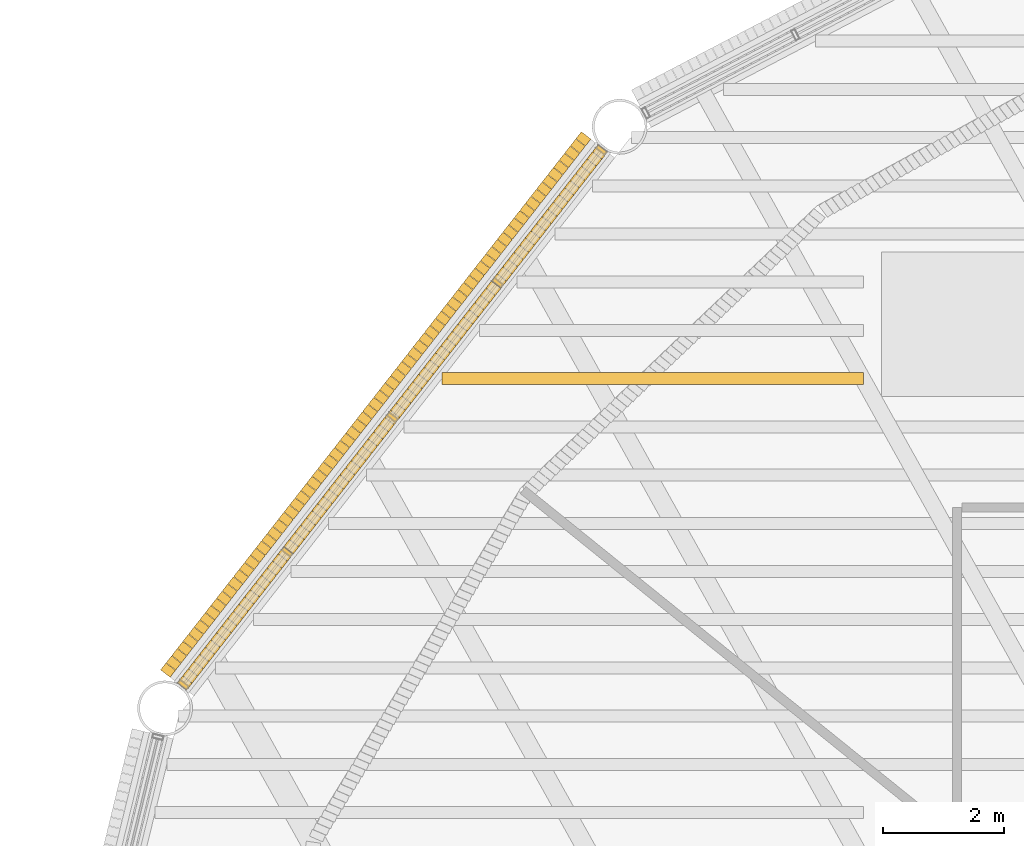
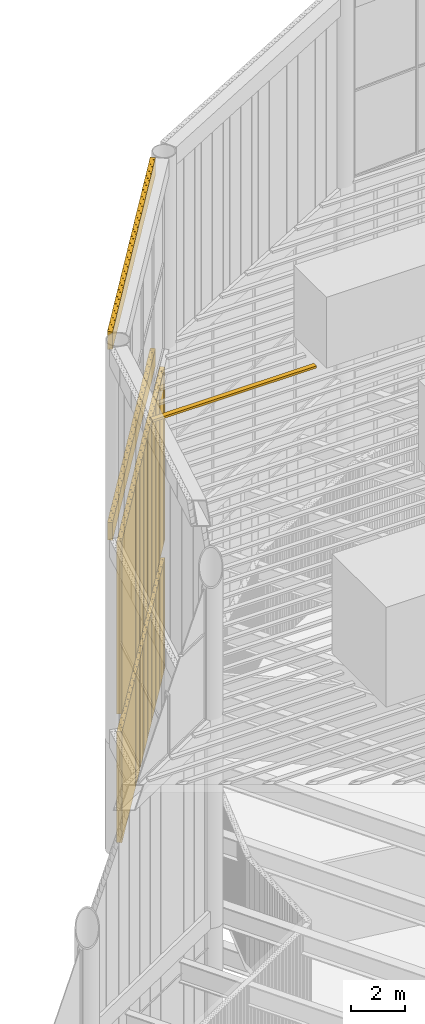
# One storey, part 102 of 117: 4 coverings, 1 shading device.
"""IFC4 building model written with IfcOpenShell, lengths in metres."""

from ifc_helpers import new_model, si_unit, direction, frame, frame_2d, origin, origin_2d, place, context, subcontext, project, spatial, rectangle, composite_profile, extrude, material, type_object, element, save


model = new_model("IFC4")

# Units and contexts
model_context = context("Model", 3, precision=1e-05, world=origin(), true_north=direction((0.0, 1.0)))
body_context = subcontext(model_context, "Body", "Model", "MODEL_VIEW")
ifc_project = project(units=[si_unit("LENGTHUNIT", "METRE"), si_unit("AREAUNIT", "SQUARE_METRE"), si_unit("VOLUMEUNIT", "CUBIC_METRE"), si_unit("PLANEANGLEUNIT", "RADIAN"), si_unit("MASSUNIT", "GRAM", prefix="KILO")], contexts=[model_context])

# Site, building, storey
site_placement = place(None, origin())
site = spatial("IfcSite", under=ifc_project, at=site_placement, CompositionType="ELEMENT")
building_placement = place(site_placement, origin())
building = spatial("IfcBuilding", under=site, at=building_placement, Name="Tarsis Ring Headquarters", CompositionType="ELEMENT")
storey_placement = place(building_placement, frame((0.0, 0.0, 403.60009765625)))
storey = spatial("IfcBuildingStorey", under=building, at=storey_placement, Name="L95", CompositionType="ELEMENT", Elevation=403.60009765625)

# Coverings
ifc_material_1 = material(Name="Terracotta louvre", Category="masonry")
covering_type = type_object("IfcCoveringType", Name="Crown louvre fin", PredefinedType="CLADDING", material=ifc_material_1)
covering_1_placement = place(storey_placement, frame((-18.877685546875, 21.955810546875, 0.0), z_axis=(0.0, 0.0, 1.0), x_axis=(-0.615999310746, -0.787752816249, 0.0)))
element("IfcCovering", 1, at=covering_1_placement, inside=storey, type_object=covering_type, Name="Crown louvre base 12", PredefinedType="CLADDING", context=body_context, shape_type="SweptSolid", body=[
    extrude(composite_profile([rectangle(XDim=0.14501953125, YDim=0.199951171875, at=frame_2d((0.072509765625, 0.0))), rectangle(XDim=0.14501953125, YDim=0.199951171875, at=frame_2d((0.2236328125, 0.0))), rectangle(XDim=0.14501953125, YDim=0.199951171875, at=frame_2d((0.375, 0.0))), rectangle(XDim=0.14501953125, YDim=0.199951171875, at=frame_2d((0.526123046875, 0.0))), rectangle(XDim=0.14501953125, YDim=0.199951171875, at=frame_2d((0.677490234375, 0.0))), rectangle(XDim=0.14501953125, YDim=0.199951171875, at=frame_2d((0.82861328125, 0.0))), rectangle(XDim=0.14501953125, YDim=0.199951171875, at=frame_2d((0.979736328125, 0.0))), rectangle(XDim=0.14501953125, YDim=0.199951171875, at=frame_2d((1.131103515625, 0.0))), rectangle(XDim=0.14501953125, YDim=0.199951171875, at=frame_2d((1.2822265625, 0.0))), rectangle(XDim=0.14501953125, YDim=0.199951171875, at=frame_2d((1.433349609375, 0.0))), rectangle(XDim=0.14501953125, YDim=0.199951171875, at=frame_2d((1.584716796875, 0.0))), rectangle(XDim=0.14501953125, YDim=0.199951171875, at=frame_2d((1.73583984375, 0.0))), rectangle(XDim=0.14501953125, YDim=0.199951171875, at=frame_2d((1.88720703125, 0.0))), rectangle(XDim=0.14501953125, YDim=0.199951171875, at=frame_2d((2.038330078125, 0.0))), rectangle(XDim=0.14501953125, YDim=0.199951171875, at=frame_2d((2.189453125, 0.0))), rectangle(XDim=0.14501953125, YDim=0.199951171875, at=frame_2d((2.3408203125, 0.0))), rectangle(XDim=0.14501953125, YDim=0.199951171875, at=frame_2d((2.491943359375, 0.0))), rectangle(XDim=0.14501953125, YDim=0.199951171875, at=frame_2d((2.64306640625, 0.0))), rectangle(XDim=0.14501953125, YDim=0.199951171875, at=frame_2d((2.79443359375, 0.0))), rectangle(XDim=0.14501953125, YDim=0.199951171875, at=frame_2d((2.945556640625, 0.0))), rectangle(XDim=0.14501953125, YDim=0.199951171875, at=frame_2d((3.096923828125, 0.0))), rectangle(XDim=0.14501953125, YDim=0.199951171875, at=frame_2d((3.248046875, 0.0))), rectangle(XDim=0.14501953125, YDim=0.199951171875, at=frame_2d((3.399169921875, 0.0))), rectangle(XDim=0.14501953125, YDim=0.199951171875, at=frame_2d((3.550537109375, 0.0))), rectangle(XDim=0.14501953125, YDim=0.199951171875, at=frame_2d((3.70166015625, 0.0))), rectangle(XDim=0.14501953125, YDim=0.199951171875, at=frame_2d((3.852783203125, 0.0))), rectangle(XDim=0.14501953125, YDim=0.199951171875, at=frame_2d((4.004150390625, 0.0))), rectangle(XDim=0.14501953125, YDim=0.199951171875, at=frame_2d((4.1552734375, 0.0))), rectangle(XDim=0.14501953125, YDim=0.199951171875, at=frame_2d((4.306640625, 0.0))), rectangle(XDim=0.14501953125, YDim=0.199951171875, at=frame_2d((4.457763671875, 0.0))), rectangle(XDim=0.14501953125, YDim=0.199951171875, at=frame_2d((4.60888671875, 0.0))), rectangle(XDim=0.14501953125, YDim=0.199951171875, at=frame_2d((4.76025390625, 0.0))), rectangle(XDim=0.14501953125, YDim=0.199951171875, at=frame_2d((4.911376953125, 0.0))), rectangle(XDim=0.14501953125, YDim=0.199951171875, at=frame_2d((5.0625, 0.0))), rectangle(XDim=0.14501953125, YDim=0.199951171875, at=frame_2d((5.2138671875, 0.0))), rectangle(XDim=0.14501953125, YDim=0.199951171875, at=frame_2d((5.364990234375, 0.0))), rectangle(XDim=0.14501953125, YDim=0.199951171875, at=frame_2d((5.516357421875, 0.0))), rectangle(XDim=0.14501953125, YDim=0.199951171875, at=frame_2d((5.66748046875, 0.0))), rectangle(XDim=0.14501953125, YDim=0.199951171875, at=frame_2d((5.818603515625, 0.0))), rectangle(XDim=0.14501953125, YDim=0.199951171875, at=frame_2d((5.969970703125, 0.0))), rectangle(XDim=0.14501953125, YDim=0.199951171875, at=frame_2d((6.12109375, 0.0))), rectangle(XDim=0.14501953125, YDim=0.199951171875, at=frame_2d((6.2724609375, 0.0))), rectangle(XDim=0.14501953125, YDim=0.199951171875, at=frame_2d((6.423583984375, 0.0))), rectangle(XDim=0.14501953125, YDim=0.199951171875, at=frame_2d((6.57470703125, 0.0))), rectangle(XDim=0.14501953125, YDim=0.199951171875, at=frame_2d((6.72607421875, 0.0))), rectangle(XDim=0.14501953125, YDim=0.199951171875, at=frame_2d((6.877197265625, 0.0))), rectangle(XDim=0.14501953125, YDim=0.199951171875, at=frame_2d((7.0283203125, 0.0))), rectangle(XDim=0.14501953125, YDim=0.199951171875, at=frame_2d((7.1796875, 0.0))), rectangle(XDim=0.14501953125, YDim=0.199951171875, at=frame_2d((7.330810546875, 0.0))), rectangle(XDim=0.14501953125, YDim=0.199951171875, at=frame_2d((7.482177734375, 0.0))), rectangle(XDim=0.14501953125, YDim=0.199951171875, at=frame_2d((7.63330078125, 0.0))), rectangle(XDim=0.14501953125, YDim=0.199951171875, at=frame_2d((7.784423828125, 0.0))), rectangle(XDim=0.14501953125, YDim=0.199951171875, at=frame_2d((7.935791015625, 0.0))), rectangle(XDim=0.14501953125, YDim=0.199951171875, at=frame_2d((8.0869140625, 0.0))), rectangle(XDim=0.14501953125, YDim=0.199951171875, at=frame_2d((8.238037109375, 0.0))), rectangle(XDim=0.14501953125, YDim=0.199951171875, at=frame_2d((8.389404296875, 0.0))), rectangle(XDim=0.14501953125, YDim=0.199951171875, at=frame_2d((8.54052734375, 0.0))), rectangle(XDim=0.14501953125, YDim=0.199951171875, at=frame_2d((8.69189453125, 0.0))), rectangle(XDim=0.14501953125, YDim=0.199951171875, at=frame_2d((8.843017578125, 0.0))), rectangle(XDim=0.14501953125, YDim=0.199951171875, at=frame_2d((8.994140625, 0.0))), rectangle(XDim=0.14501953125, YDim=0.199951171875, at=frame_2d((9.1455078125, 0.0))), rectangle(XDim=0.14501953125, YDim=0.199951171875, at=frame_2d((9.296630859375, 0.0))), rectangle(XDim=0.14501953125, YDim=0.199951171875, at=frame_2d((9.44775390625, 0.0))), rectangle(XDim=0.14501953125, YDim=0.199951171875, at=frame_2d((9.59912109375, 0.0))), rectangle(XDim=0.14501953125, YDim=0.199951171875, at=frame_2d((9.750244140625, 0.0))), rectangle(XDim=0.14501953125, YDim=0.199951171875, at=frame_2d((9.901611328125, 0.0))), rectangle(XDim=0.14501953125, YDim=0.199951171875, at=frame_2d((10.052734375, 0.0))), rectangle(XDim=0.14501953125, YDim=0.199951171875, at=frame_2d((10.203857421875, 0.0))), rectangle(XDim=0.14501953125, YDim=0.199951171875, at=frame_2d((10.355224609375, 0.0))), rectangle(XDim=0.14501953125, YDim=0.199951171875, at=frame_2d((10.50634765625, 0.0))), rectangle(XDim=0.14501953125, YDim=0.199951171875, at=frame_2d((10.657470703125, 0.0))), rectangle(XDim=0.14501953125, YDim=0.199951171875, at=frame_2d((10.808837890625, 0.0))), rectangle(XDim=0.14501953125, YDim=0.199951171875, at=frame_2d((10.9599609375, 0.0))), rectangle(XDim=0.14501953125, YDim=0.199951171875, at=frame_2d((11.111328125, 0.0))), rectangle(XDim=0.14501953125, YDim=0.199951171875, at=frame_2d((11.262451171875, 0.0)))]), origin(), (0.0, 0.0, 1.0), 5.0),
])
covering_2_placement = place(storey_placement, frame((-19.1533203125, 22.17138671875, 13.599853515625), z_axis=(0.0, 0.0, 1.0), x_axis=(-0.615999310746, -0.787752816249, 0.0)))
element("IfcCovering", 2, at=covering_2_placement, inside=storey, type_object=covering_type, Name="Crown louvre fascia M12", PredefinedType="CLADDING", context=body_context, shape_type="SweptSolid", body=[
    extrude(composite_profile([rectangle(XDim=0.14501953125, YDim=0.199951171875, at=frame_2d((0.072509765625, 0.0))), rectangle(XDim=0.14501953125, YDim=0.199951171875, at=frame_2d((0.2236328125, 0.0))), rectangle(XDim=0.14501953125, YDim=0.199951171875, at=frame_2d((0.375, 0.0))), rectangle(XDim=0.14501953125, YDim=0.199951171875, at=frame_2d((0.526123046875, 0.0))), rectangle(XDim=0.14501953125, YDim=0.199951171875, at=frame_2d((0.677490234375, 0.0))), rectangle(XDim=0.14501953125, YDim=0.199951171875, at=frame_2d((0.82861328125, 0.0))), rectangle(XDim=0.14501953125, YDim=0.199951171875, at=frame_2d((0.979736328125, 0.0))), rectangle(XDim=0.14501953125, YDim=0.199951171875, at=frame_2d((1.131103515625, 0.0))), rectangle(XDim=0.14501953125, YDim=0.199951171875, at=frame_2d((1.2822265625, 0.0))), rectangle(XDim=0.14501953125, YDim=0.199951171875, at=frame_2d((1.433349609375, 0.0))), rectangle(XDim=0.14501953125, YDim=0.199951171875, at=frame_2d((1.584716796875, 0.0))), rectangle(XDim=0.14501953125, YDim=0.199951171875, at=frame_2d((1.73583984375, 0.0))), rectangle(XDim=0.14501953125, YDim=0.199951171875, at=frame_2d((1.88720703125, 0.0))), rectangle(XDim=0.14501953125, YDim=0.199951171875, at=frame_2d((2.038330078125, 0.0))), rectangle(XDim=0.14501953125, YDim=0.199951171875, at=frame_2d((2.189453125, 0.0))), rectangle(XDim=0.14501953125, YDim=0.199951171875, at=frame_2d((2.3408203125, 0.0))), rectangle(XDim=0.14501953125, YDim=0.199951171875, at=frame_2d((2.491943359375, 0.0))), rectangle(XDim=0.14501953125, YDim=0.199951171875, at=frame_2d((2.64306640625, 0.0))), rectangle(XDim=0.14501953125, YDim=0.199951171875, at=frame_2d((2.79443359375, 0.0))), rectangle(XDim=0.14501953125, YDim=0.199951171875, at=frame_2d((2.945556640625, 0.0))), rectangle(XDim=0.14501953125, YDim=0.199951171875, at=frame_2d((3.096923828125, 0.0))), rectangle(XDim=0.14501953125, YDim=0.199951171875, at=frame_2d((3.248046875, 0.0))), rectangle(XDim=0.14501953125, YDim=0.199951171875, at=frame_2d((3.399169921875, 0.0))), rectangle(XDim=0.14501953125, YDim=0.199951171875, at=frame_2d((3.550537109375, 0.0))), rectangle(XDim=0.14501953125, YDim=0.199951171875, at=frame_2d((3.70166015625, 0.0))), rectangle(XDim=0.14501953125, YDim=0.199951171875, at=frame_2d((3.852783203125, 0.0))), rectangle(XDim=0.14501953125, YDim=0.199951171875, at=frame_2d((4.004150390625, 0.0))), rectangle(XDim=0.14501953125, YDim=0.199951171875, at=frame_2d((4.1552734375, 0.0))), rectangle(XDim=0.14501953125, YDim=0.199951171875, at=frame_2d((4.306640625, 0.0))), rectangle(XDim=0.14501953125, YDim=0.199951171875, at=frame_2d((4.457763671875, 0.0))), rectangle(XDim=0.14501953125, YDim=0.199951171875, at=frame_2d((4.60888671875, 0.0))), rectangle(XDim=0.14501953125, YDim=0.199951171875, at=frame_2d((4.76025390625, 0.0))), rectangle(XDim=0.14501953125, YDim=0.199951171875, at=frame_2d((4.911376953125, 0.0))), rectangle(XDim=0.14501953125, YDim=0.199951171875, at=frame_2d((5.0625, 0.0))), rectangle(XDim=0.14501953125, YDim=0.199951171875, at=frame_2d((5.2138671875, 0.0))), rectangle(XDim=0.14501953125, YDim=0.199951171875, at=frame_2d((5.364990234375, 0.0))), rectangle(XDim=0.14501953125, YDim=0.199951171875, at=frame_2d((5.516357421875, 0.0))), rectangle(XDim=0.14501953125, YDim=0.199951171875, at=frame_2d((5.66748046875, 0.0))), rectangle(XDim=0.14501953125, YDim=0.199951171875, at=frame_2d((5.818603515625, 0.0))), rectangle(XDim=0.14501953125, YDim=0.199951171875, at=frame_2d((5.969970703125, 0.0))), rectangle(XDim=0.14501953125, YDim=0.199951171875, at=frame_2d((6.12109375, 0.0))), rectangle(XDim=0.14501953125, YDim=0.199951171875, at=frame_2d((6.2724609375, 0.0))), rectangle(XDim=0.14501953125, YDim=0.199951171875, at=frame_2d((6.423583984375, 0.0))), rectangle(XDim=0.14501953125, YDim=0.199951171875, at=frame_2d((6.57470703125, 0.0))), rectangle(XDim=0.14501953125, YDim=0.199951171875, at=frame_2d((6.72607421875, 0.0))), rectangle(XDim=0.14501953125, YDim=0.199951171875, at=frame_2d((6.877197265625, 0.0))), rectangle(XDim=0.14501953125, YDim=0.199951171875, at=frame_2d((7.0283203125, 0.0))), rectangle(XDim=0.14501953125, YDim=0.199951171875, at=frame_2d((7.1796875, 0.0))), rectangle(XDim=0.14501953125, YDim=0.199951171875, at=frame_2d((7.330810546875, 0.0))), rectangle(XDim=0.14501953125, YDim=0.199951171875, at=frame_2d((7.482177734375, 0.0))), rectangle(XDim=0.14501953125, YDim=0.199951171875, at=frame_2d((7.63330078125, 0.0))), rectangle(XDim=0.14501953125, YDim=0.199951171875, at=frame_2d((7.784423828125, 0.0))), rectangle(XDim=0.14501953125, YDim=0.199951171875, at=frame_2d((7.935791015625, 0.0))), rectangle(XDim=0.14501953125, YDim=0.199951171875, at=frame_2d((8.0869140625, 0.0))), rectangle(XDim=0.14501953125, YDim=0.199951171875, at=frame_2d((8.238037109375, 0.0))), rectangle(XDim=0.14501953125, YDim=0.199951171875, at=frame_2d((8.389404296875, 0.0))), rectangle(XDim=0.14501953125, YDim=0.199951171875, at=frame_2d((8.54052734375, 0.0))), rectangle(XDim=0.14501953125, YDim=0.199951171875, at=frame_2d((8.69189453125, 0.0))), rectangle(XDim=0.14501953125, YDim=0.199951171875, at=frame_2d((8.843017578125, 0.0))), rectangle(XDim=0.14501953125, YDim=0.199951171875, at=frame_2d((8.994140625, 0.0))), rectangle(XDim=0.14501953125, YDim=0.199951171875, at=frame_2d((9.1455078125, 0.0))), rectangle(XDim=0.14501953125, YDim=0.199951171875, at=frame_2d((9.296630859375, 0.0))), rectangle(XDim=0.14501953125, YDim=0.199951171875, at=frame_2d((9.44775390625, 0.0))), rectangle(XDim=0.14501953125, YDim=0.199951171875, at=frame_2d((9.59912109375, 0.0))), rectangle(XDim=0.14501953125, YDim=0.199951171875, at=frame_2d((9.750244140625, 0.0))), rectangle(XDim=0.14501953125, YDim=0.199951171875, at=frame_2d((9.901611328125, 0.0))), rectangle(XDim=0.14501953125, YDim=0.199951171875, at=frame_2d((10.052734375, 0.0))), rectangle(XDim=0.14501953125, YDim=0.199951171875, at=frame_2d((10.203857421875, 0.0))), rectangle(XDim=0.14501953125, YDim=0.199951171875, at=frame_2d((10.355224609375, 0.0))), rectangle(XDim=0.14501953125, YDim=0.199951171875, at=frame_2d((10.50634765625, 0.0))), rectangle(XDim=0.14501953125, YDim=0.199951171875, at=frame_2d((10.657470703125, 0.0))), rectangle(XDim=0.14501953125, YDim=0.199951171875, at=frame_2d((10.808837890625, 0.0))), rectangle(XDim=0.14501953125, YDim=0.199951171875, at=frame_2d((10.9599609375, 0.0))), rectangle(XDim=0.14501953125, YDim=0.199951171875, at=frame_2d((11.111328125, 0.0))), rectangle(XDim=0.14501953125, YDim=0.199951171875, at=frame_2d((11.262451171875, 0.0)))]), origin(), (0.0, 0.0, 1.0), 0.800048828125),
])
covering_3_placement = place(storey_placement, frame((-19.1533203125, 22.17138671875, 22.199951171875), z_axis=(0.0, 0.0, 1.0), x_axis=(-0.615999310746, -0.787752816249, 0.0)))
element("IfcCovering", 3, at=covering_3_placement, inside=storey, type_object=covering_type, Name="Crown louvre fascia T12", PredefinedType="CLADDING", context=body_context, shape_type="SweptSolid", body=[
    extrude(composite_profile([rectangle(XDim=0.14501953125, YDim=0.199951171875, at=frame_2d((0.072509765625, 0.0))), rectangle(XDim=0.14501953125, YDim=0.199951171875, at=frame_2d((0.2236328125, 0.0))), rectangle(XDim=0.14501953125, YDim=0.199951171875, at=frame_2d((0.375, 0.0))), rectangle(XDim=0.14501953125, YDim=0.199951171875, at=frame_2d((0.526123046875, 0.0))), rectangle(XDim=0.14501953125, YDim=0.199951171875, at=frame_2d((0.677490234375, 0.0))), rectangle(XDim=0.14501953125, YDim=0.199951171875, at=frame_2d((0.82861328125, 0.0))), rectangle(XDim=0.14501953125, YDim=0.199951171875, at=frame_2d((0.979736328125, 0.0))), rectangle(XDim=0.14501953125, YDim=0.199951171875, at=frame_2d((1.131103515625, 0.0))), rectangle(XDim=0.14501953125, YDim=0.199951171875, at=frame_2d((1.2822265625, 0.0))), rectangle(XDim=0.14501953125, YDim=0.199951171875, at=frame_2d((1.433349609375, 0.0))), rectangle(XDim=0.14501953125, YDim=0.199951171875, at=frame_2d((1.584716796875, 0.0))), rectangle(XDim=0.14501953125, YDim=0.199951171875, at=frame_2d((1.73583984375, 0.0))), rectangle(XDim=0.14501953125, YDim=0.199951171875, at=frame_2d((1.88720703125, 0.0))), rectangle(XDim=0.14501953125, YDim=0.199951171875, at=frame_2d((2.038330078125, 0.0))), rectangle(XDim=0.14501953125, YDim=0.199951171875, at=frame_2d((2.189453125, 0.0))), rectangle(XDim=0.14501953125, YDim=0.199951171875, at=frame_2d((2.3408203125, 0.0))), rectangle(XDim=0.14501953125, YDim=0.199951171875, at=frame_2d((2.491943359375, 0.0))), rectangle(XDim=0.14501953125, YDim=0.199951171875, at=frame_2d((2.64306640625, 0.0))), rectangle(XDim=0.14501953125, YDim=0.199951171875, at=frame_2d((2.79443359375, 0.0))), rectangle(XDim=0.14501953125, YDim=0.199951171875, at=frame_2d((2.945556640625, 0.0))), rectangle(XDim=0.14501953125, YDim=0.199951171875, at=frame_2d((3.096923828125, 0.0))), rectangle(XDim=0.14501953125, YDim=0.199951171875, at=frame_2d((3.248046875, 0.0))), rectangle(XDim=0.14501953125, YDim=0.199951171875, at=frame_2d((3.399169921875, 0.0))), rectangle(XDim=0.14501953125, YDim=0.199951171875, at=frame_2d((3.550537109375, 0.0))), rectangle(XDim=0.14501953125, YDim=0.199951171875, at=frame_2d((3.70166015625, 0.0))), rectangle(XDim=0.14501953125, YDim=0.199951171875, at=frame_2d((3.852783203125, 0.0))), rectangle(XDim=0.14501953125, YDim=0.199951171875, at=frame_2d((4.004150390625, 0.0))), rectangle(XDim=0.14501953125, YDim=0.199951171875, at=frame_2d((4.1552734375, 0.0))), rectangle(XDim=0.14501953125, YDim=0.199951171875, at=frame_2d((4.306640625, 0.0))), rectangle(XDim=0.14501953125, YDim=0.199951171875, at=frame_2d((4.457763671875, 0.0))), rectangle(XDim=0.14501953125, YDim=0.199951171875, at=frame_2d((4.60888671875, 0.0))), rectangle(XDim=0.14501953125, YDim=0.199951171875, at=frame_2d((4.76025390625, 0.0))), rectangle(XDim=0.14501953125, YDim=0.199951171875, at=frame_2d((4.911376953125, 0.0))), rectangle(XDim=0.14501953125, YDim=0.199951171875, at=frame_2d((5.0625, 0.0))), rectangle(XDim=0.14501953125, YDim=0.199951171875, at=frame_2d((5.2138671875, 0.0))), rectangle(XDim=0.14501953125, YDim=0.199951171875, at=frame_2d((5.364990234375, 0.0))), rectangle(XDim=0.14501953125, YDim=0.199951171875, at=frame_2d((5.516357421875, 0.0))), rectangle(XDim=0.14501953125, YDim=0.199951171875, at=frame_2d((5.66748046875, 0.0))), rectangle(XDim=0.14501953125, YDim=0.199951171875, at=frame_2d((5.818603515625, 0.0))), rectangle(XDim=0.14501953125, YDim=0.199951171875, at=frame_2d((5.969970703125, 0.0))), rectangle(XDim=0.14501953125, YDim=0.199951171875, at=frame_2d((6.12109375, 0.0))), rectangle(XDim=0.14501953125, YDim=0.199951171875, at=frame_2d((6.2724609375, 0.0))), rectangle(XDim=0.14501953125, YDim=0.199951171875, at=frame_2d((6.423583984375, 0.0))), rectangle(XDim=0.14501953125, YDim=0.199951171875, at=frame_2d((6.57470703125, 0.0))), rectangle(XDim=0.14501953125, YDim=0.199951171875, at=frame_2d((6.72607421875, 0.0))), rectangle(XDim=0.14501953125, YDim=0.199951171875, at=frame_2d((6.877197265625, 0.0))), rectangle(XDim=0.14501953125, YDim=0.199951171875, at=frame_2d((7.0283203125, 0.0))), rectangle(XDim=0.14501953125, YDim=0.199951171875, at=frame_2d((7.1796875, 0.0))), rectangle(XDim=0.14501953125, YDim=0.199951171875, at=frame_2d((7.330810546875, 0.0))), rectangle(XDim=0.14501953125, YDim=0.199951171875, at=frame_2d((7.482177734375, 0.0))), rectangle(XDim=0.14501953125, YDim=0.199951171875, at=frame_2d((7.63330078125, 0.0))), rectangle(XDim=0.14501953125, YDim=0.199951171875, at=frame_2d((7.784423828125, 0.0))), rectangle(XDim=0.14501953125, YDim=0.199951171875, at=frame_2d((7.935791015625, 0.0))), rectangle(XDim=0.14501953125, YDim=0.199951171875, at=frame_2d((8.0869140625, 0.0))), rectangle(XDim=0.14501953125, YDim=0.199951171875, at=frame_2d((8.238037109375, 0.0))), rectangle(XDim=0.14501953125, YDim=0.199951171875, at=frame_2d((8.389404296875, 0.0))), rectangle(XDim=0.14501953125, YDim=0.199951171875, at=frame_2d((8.54052734375, 0.0))), rectangle(XDim=0.14501953125, YDim=0.199951171875, at=frame_2d((8.69189453125, 0.0))), rectangle(XDim=0.14501953125, YDim=0.199951171875, at=frame_2d((8.843017578125, 0.0))), rectangle(XDim=0.14501953125, YDim=0.199951171875, at=frame_2d((8.994140625, 0.0))), rectangle(XDim=0.14501953125, YDim=0.199951171875, at=frame_2d((9.1455078125, 0.0))), rectangle(XDim=0.14501953125, YDim=0.199951171875, at=frame_2d((9.296630859375, 0.0))), rectangle(XDim=0.14501953125, YDim=0.199951171875, at=frame_2d((9.44775390625, 0.0))), rectangle(XDim=0.14501953125, YDim=0.199951171875, at=frame_2d((9.59912109375, 0.0))), rectangle(XDim=0.14501953125, YDim=0.199951171875, at=frame_2d((9.750244140625, 0.0))), rectangle(XDim=0.14501953125, YDim=0.199951171875, at=frame_2d((9.901611328125, 0.0))), rectangle(XDim=0.14501953125, YDim=0.199951171875, at=frame_2d((10.052734375, 0.0))), rectangle(XDim=0.14501953125, YDim=0.199951171875, at=frame_2d((10.203857421875, 0.0))), rectangle(XDim=0.14501953125, YDim=0.199951171875, at=frame_2d((10.355224609375, 0.0))), rectangle(XDim=0.14501953125, YDim=0.199951171875, at=frame_2d((10.50634765625, 0.0))), rectangle(XDim=0.14501953125, YDim=0.199951171875, at=frame_2d((10.657470703125, 0.0))), rectangle(XDim=0.14501953125, YDim=0.199951171875, at=frame_2d((10.808837890625, 0.0))), rectangle(XDim=0.14501953125, YDim=0.199951171875, at=frame_2d((10.9599609375, 0.0))), rectangle(XDim=0.14501953125, YDim=0.199951171875, at=frame_2d((11.111328125, 0.0))), rectangle(XDim=0.14501953125, YDim=0.199951171875, at=frame_2d((11.262451171875, 0.0)))]), origin(), (0.0, 0.0, 1.0), 0.800048828125),
])
covering_4_placement = place(storey_placement, frame((-18.877685546875, 21.955810546875, 5.7998046875), z_axis=(0.0, 0.0, 1.0), x_axis=(-0.615999310746, -0.787752816249, 0.0)))
element("IfcCovering", 4, at=covering_4_placement, inside=storey, type_object=covering_type, Name="Crown louvre L12", PredefinedType="CLADDING", context=body_context, shape_type="SweptSolid", body=[
    extrude(composite_profile([rectangle(XDim=0.14501953125, YDim=0.199951171875, at=frame_2d((0.072509765625, 0.0))), rectangle(XDim=0.14501953125, YDim=0.199951171875, at=frame_2d((0.2236328125, 0.0))), rectangle(XDim=0.14501953125, YDim=0.199951171875, at=frame_2d((0.375, 0.0))), rectangle(XDim=0.14501953125, YDim=0.199951171875, at=frame_2d((0.526123046875, 0.0))), rectangle(XDim=0.14501953125, YDim=0.199951171875, at=frame_2d((0.677490234375, 0.0))), rectangle(XDim=0.14501953125, YDim=0.199951171875, at=frame_2d((0.82861328125, 0.0))), rectangle(XDim=0.14501953125, YDim=0.199951171875, at=frame_2d((0.979736328125, 0.0))), rectangle(XDim=0.14501953125, YDim=0.199951171875, at=frame_2d((1.131103515625, 0.0))), rectangle(XDim=0.14501953125, YDim=0.199951171875, at=frame_2d((1.2822265625, 0.0))), rectangle(XDim=0.14501953125, YDim=0.199951171875, at=frame_2d((1.433349609375, 0.0))), rectangle(XDim=0.14501953125, YDim=0.199951171875, at=frame_2d((1.584716796875, 0.0))), rectangle(XDim=0.14501953125, YDim=0.199951171875, at=frame_2d((1.73583984375, 0.0))), rectangle(XDim=0.14501953125, YDim=0.199951171875, at=frame_2d((1.88720703125, 0.0))), rectangle(XDim=0.14501953125, YDim=0.199951171875, at=frame_2d((2.038330078125, 0.0))), rectangle(XDim=0.14501953125, YDim=0.199951171875, at=frame_2d((2.189453125, 0.0))), rectangle(XDim=0.14501953125, YDim=0.199951171875, at=frame_2d((2.3408203125, 0.0))), rectangle(XDim=0.14501953125, YDim=0.199951171875, at=frame_2d((2.491943359375, 0.0))), rectangle(XDim=0.14501953125, YDim=0.199951171875, at=frame_2d((2.64306640625, 0.0))), rectangle(XDim=0.14501953125, YDim=0.199951171875, at=frame_2d((2.79443359375, 0.0))), rectangle(XDim=0.14501953125, YDim=0.199951171875, at=frame_2d((2.945556640625, 0.0))), rectangle(XDim=0.14501953125, YDim=0.199951171875, at=frame_2d((3.096923828125, 0.0))), rectangle(XDim=0.14501953125, YDim=0.199951171875, at=frame_2d((3.248046875, 0.0))), rectangle(XDim=0.14501953125, YDim=0.199951171875, at=frame_2d((3.399169921875, 0.0))), rectangle(XDim=0.14501953125, YDim=0.199951171875, at=frame_2d((3.550537109375, 0.0))), rectangle(XDim=0.14501953125, YDim=0.199951171875, at=frame_2d((3.70166015625, 0.0))), rectangle(XDim=0.14501953125, YDim=0.199951171875, at=frame_2d((3.852783203125, 0.0))), rectangle(XDim=0.14501953125, YDim=0.199951171875, at=frame_2d((4.004150390625, 0.0))), rectangle(XDim=0.14501953125, YDim=0.199951171875, at=frame_2d((4.1552734375, 0.0))), rectangle(XDim=0.14501953125, YDim=0.199951171875, at=frame_2d((4.306640625, 0.0))), rectangle(XDim=0.14501953125, YDim=0.199951171875, at=frame_2d((4.457763671875, 0.0))), rectangle(XDim=0.14501953125, YDim=0.199951171875, at=frame_2d((4.60888671875, 0.0))), rectangle(XDim=0.14501953125, YDim=0.199951171875, at=frame_2d((4.76025390625, 0.0))), rectangle(XDim=0.14501953125, YDim=0.199951171875, at=frame_2d((4.911376953125, 0.0))), rectangle(XDim=0.14501953125, YDim=0.199951171875, at=frame_2d((5.0625, 0.0))), rectangle(XDim=0.14501953125, YDim=0.199951171875, at=frame_2d((5.2138671875, 0.0))), rectangle(XDim=0.14501953125, YDim=0.199951171875, at=frame_2d((5.364990234375, 0.0))), rectangle(XDim=0.14501953125, YDim=0.199951171875, at=frame_2d((5.516357421875, 0.0))), rectangle(XDim=0.14501953125, YDim=0.199951171875, at=frame_2d((5.66748046875, 0.0))), rectangle(XDim=0.14501953125, YDim=0.199951171875, at=frame_2d((5.818603515625, 0.0))), rectangle(XDim=0.14501953125, YDim=0.199951171875, at=frame_2d((5.969970703125, 0.0))), rectangle(XDim=0.14501953125, YDim=0.199951171875, at=frame_2d((6.12109375, 0.0))), rectangle(XDim=0.14501953125, YDim=0.199951171875, at=frame_2d((6.2724609375, 0.0))), rectangle(XDim=0.14501953125, YDim=0.199951171875, at=frame_2d((6.423583984375, 0.0))), rectangle(XDim=0.14501953125, YDim=0.199951171875, at=frame_2d((6.57470703125, 0.0))), rectangle(XDim=0.14501953125, YDim=0.199951171875, at=frame_2d((6.72607421875, 0.0))), rectangle(XDim=0.14501953125, YDim=0.199951171875, at=frame_2d((6.877197265625, 0.0))), rectangle(XDim=0.14501953125, YDim=0.199951171875, at=frame_2d((7.0283203125, 0.0))), rectangle(XDim=0.14501953125, YDim=0.199951171875, at=frame_2d((7.1796875, 0.0))), rectangle(XDim=0.14501953125, YDim=0.199951171875, at=frame_2d((7.330810546875, 0.0))), rectangle(XDim=0.14501953125, YDim=0.199951171875, at=frame_2d((7.482177734375, 0.0))), rectangle(XDim=0.14501953125, YDim=0.199951171875, at=frame_2d((7.63330078125, 0.0))), rectangle(XDim=0.14501953125, YDim=0.199951171875, at=frame_2d((7.784423828125, 0.0))), rectangle(XDim=0.14501953125, YDim=0.199951171875, at=frame_2d((7.935791015625, 0.0))), rectangle(XDim=0.14501953125, YDim=0.199951171875, at=frame_2d((8.0869140625, 0.0))), rectangle(XDim=0.14501953125, YDim=0.199951171875, at=frame_2d((8.238037109375, 0.0))), rectangle(XDim=0.14501953125, YDim=0.199951171875, at=frame_2d((8.389404296875, 0.0))), rectangle(XDim=0.14501953125, YDim=0.199951171875, at=frame_2d((8.54052734375, 0.0))), rectangle(XDim=0.14501953125, YDim=0.199951171875, at=frame_2d((8.69189453125, 0.0))), rectangle(XDim=0.14501953125, YDim=0.199951171875, at=frame_2d((8.843017578125, 0.0))), rectangle(XDim=0.14501953125, YDim=0.199951171875, at=frame_2d((8.994140625, 0.0))), rectangle(XDim=0.14501953125, YDim=0.199951171875, at=frame_2d((9.1455078125, 0.0))), rectangle(XDim=0.14501953125, YDim=0.199951171875, at=frame_2d((9.296630859375, 0.0))), rectangle(XDim=0.14501953125, YDim=0.199951171875, at=frame_2d((9.44775390625, 0.0))), rectangle(XDim=0.14501953125, YDim=0.199951171875, at=frame_2d((9.59912109375, 0.0))), rectangle(XDim=0.14501953125, YDim=0.199951171875, at=frame_2d((9.750244140625, 0.0))), rectangle(XDim=0.14501953125, YDim=0.199951171875, at=frame_2d((9.901611328125, 0.0))), rectangle(XDim=0.14501953125, YDim=0.199951171875, at=frame_2d((10.052734375, 0.0))), rectangle(XDim=0.14501953125, YDim=0.199951171875, at=frame_2d((10.203857421875, 0.0))), rectangle(XDim=0.14501953125, YDim=0.199951171875, at=frame_2d((10.355224609375, 0.0))), rectangle(XDim=0.14501953125, YDim=0.199951171875, at=frame_2d((10.50634765625, 0.0))), rectangle(XDim=0.14501953125, YDim=0.199951171875, at=frame_2d((10.657470703125, 0.0))), rectangle(XDim=0.14501953125, YDim=0.199951171875, at=frame_2d((10.808837890625, 0.0))), rectangle(XDim=0.14501953125, YDim=0.199951171875, at=frame_2d((10.9599609375, 0.0))), rectangle(XDim=0.14501953125, YDim=0.199951171875, at=frame_2d((11.111328125, 0.0))), rectangle(XDim=0.14501953125, YDim=0.199951171875, at=frame_2d((11.262451171875, 0.0)))]), origin(), (0.0, 0.0, 1.0), 7.800048828125),
])

# Shading device
ifc_material_2 = material(Name="Aluminium louvre", Category="aluminium")
shading_device_type = type_object("IfcShadingDeviceType", Name="Crown roof louvre blade", PredefinedType="USERDEFINED", material=ifc_material_2)
shading_device_placement = place(storey_placement, frame((-18.0498046875, 18.1357421875, 14.39990234375), z_axis=(0.0, 0.0, 1.0), x_axis=(1.0, 0.0, 0.0)))
element("IfcShadingDevice", 5, at=shading_device_placement, inside=storey, type_object=shading_device_type, Name="Crown roof louvre 99", ObjectType="Crown roof louvre", PredefinedType="USERDEFINED", context=body_context, shape_type="SweptSolid", body=[
    extrude(rectangle(XDim=6.9951171875, YDim=0.199951171875, at=origin_2d()), origin(), (0.0, 0.0, 1.0), 0.10009765625),
])

save(model, "model.ifc")
